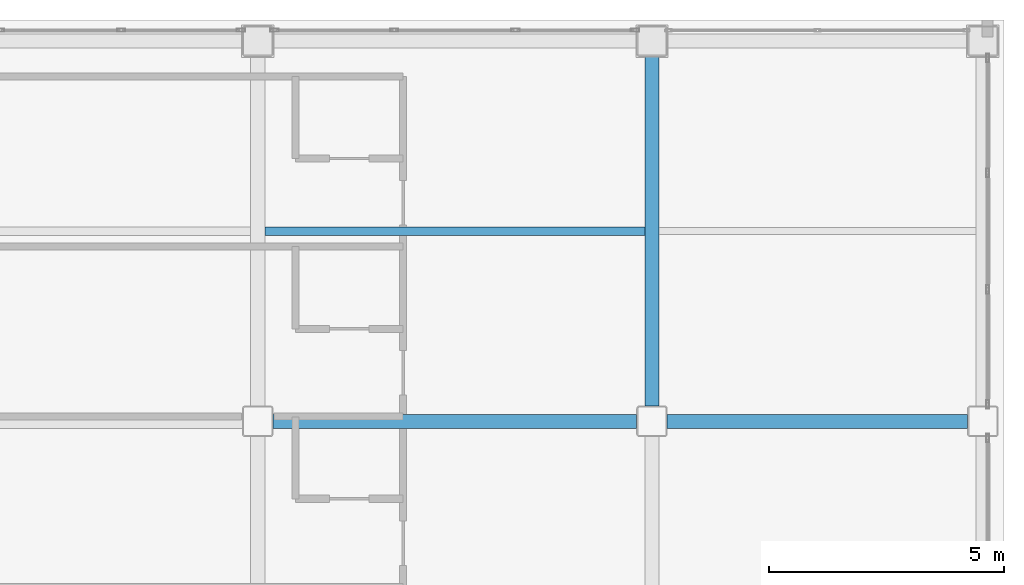
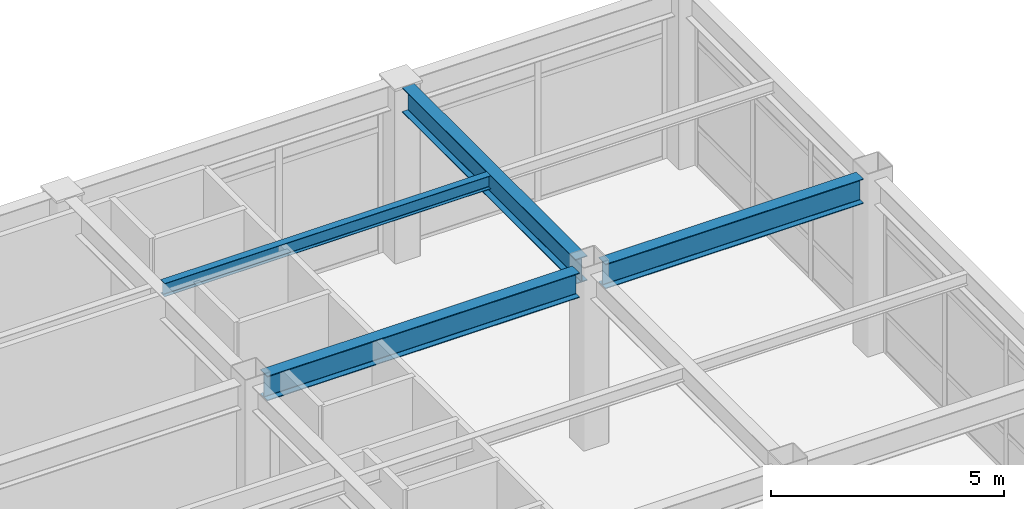
# One storey, part 40 of 61: 4 beams.
"""IFC4 building model written with IfcOpenShell, lengths in metres."""

from ifc_helpers import new_model, si_unit, direction, frame, origin, origin_2d, place, context, subcontext, project, spatial, i_section, extrude, material, material_profile, profile_set, type_object, element, save


model = new_model("IFC4")

# Units and contexts
model_context = context("Model", 3, precision=1e-05, world=origin(), true_north=direction((0.0, 1.0)))
body_context = subcontext(model_context, "Body", "Model", "MODEL_VIEW")
ifc_project = project(units=[si_unit("LENGTHUNIT", "METRE"), si_unit("AREAUNIT", "SQUARE_METRE"), si_unit("VOLUMEUNIT", "CUBIC_METRE"), si_unit("PLANEANGLEUNIT", "RADIAN"), si_unit("MASSUNIT", "GRAM", prefix="KILO")], contexts=[model_context])

# Site, building, storey
site_placement = place(None, origin())
site = spatial("IfcSite", under=ifc_project, at=site_placement, CompositionType="ELEMENT")
building_placement = place(site_placement, origin())
building = spatial("IfcBuilding", under=site, at=building_placement, Name="Kazehara Bluff Congress Hotel", CompositionType="ELEMENT")
storey_placement = place(building_placement, frame((0.0, 0.0, 19.800048828125)))
storey = spatial("IfcBuildingStorey", under=building, at=storey_placement, Name="L04", CompositionType="ELEMENT", Elevation=19.800048828125)

# Beams
ifc_material_1 = material(Name="Steel SN490B", Category="steel")
ifc_material_profile_1 = material_profile(ifc_material_1, i_section(OverallWidth=0.300048828125, OverallDepth=0.64990234375, WebThickness=0.011962890625, FlangeThickness=0.02001953125, FilletRadius=0.012939453125, at=origin_2d()))
ifc_profile_set_1 = profile_set([ifc_material_profile_1], Name="Steel SN490B")
beam_type_1 = type_object("IfcBeamType", Name="TP-G-03", PredefinedType="BEAM", material=ifc_profile_set_1)
beam_1_placement = place(storey_placement, frame((160.5, 105.77490234375, 4.2548828125), z_axis=(0.0, 1.0, 0.0), x_axis=(-1.0, 0.0, 0.0)))
element("IfcBeam", 1, at=beam_1_placement, inside=storey, type_object=beam_type_1, Name="L04 girder G-03 66", PredefinedType="BEAM", context=body_context, shape_type="SweptSolid", body=[
    extrude(i_section(OverallWidth=0.300048828125, OverallDepth=0.64990234375, WebThickness=0.011962890625, FlangeThickness=0.02001953125, FilletRadius=0.012939453125, at=origin_2d()), origin(), (0.0, 0.0, 1.0), 7.4501953125),
])
beam_2_placement = place(storey_placement, frame((152.425048828125, 105.449951171875, 4.2548828125), z_axis=(1.0, 0.0, 0.0), x_axis=(0.0, 1.0, 0.0)))
element("IfcBeam", 2, at=beam_2_placement, inside=storey, type_object=beam_type_1, Name="L04 girder G-03 114", PredefinedType="BEAM", context=body_context, shape_type="SweptSolid", body=[
    extrude(i_section(OverallWidth=0.300048828125, OverallDepth=0.64990234375, WebThickness=0.011962890625, FlangeThickness=0.02001953125, FilletRadius=0.012939453125, at=origin_2d()), origin(), (0.0, 0.0, 1.0), 7.75),
])
beam_3_placement = place(storey_placement, frame((160.824951171875, 105.449951171875, 4.2548828125), z_axis=(1.0, 0.0, 0.0), x_axis=(0.0, 1.0, 0.0)))
element("IfcBeam", 3, at=beam_3_placement, inside=storey, type_object=beam_type_1, Name="L04 girder G-03 115", PredefinedType="BEAM", context=body_context, shape_type="SweptSolid", body=[
    extrude(i_section(OverallWidth=0.300048828125, OverallDepth=0.64990234375, WebThickness=0.011962890625, FlangeThickness=0.02001953125, FilletRadius=0.012939453125, at=origin_2d()), origin(), (0.0, 0.0, 1.0), 6.400146484375),
])
ifc_material_2 = material(Name="Steel SN400B", Category="steel")
ifc_material_profile_2 = material_profile(ifc_material_2, i_section(OverallWidth=0.175048828125, OverallDepth=0.35009765625, WebThickness=0.007080078125, FlangeThickness=0.010986328125, FilletRadius=0.012939453125, at=origin_2d()))
ifc_profile_set_2 = profile_set([ifc_material_profile_2], Name="Steel SN400B")
beam_type_2 = type_object("IfcBeamType", Name="TP-J-02", PredefinedType="JOIST", material=ifc_profile_set_2)
beam_4_placement = place(storey_placement, frame((152.25, 109.5, 4.405029296875), z_axis=(1.0, 0.0, 0.0), x_axis=(0.0, 1.0, 0.0)))
element("IfcBeam", 4, at=beam_4_placement, inside=storey, type_object=beam_type_2, Name="L04 secondary joist J-02 28", PredefinedType="JOIST", context=body_context, shape_type="SweptSolid", body=[
    extrude(i_section(OverallWidth=0.175048828125, OverallDepth=0.35009765625, WebThickness=0.007080078125, FlangeThickness=0.010986328125, FilletRadius=0.012939453125, at=origin_2d()), origin(), (0.0, 0.0, 1.0), 8.10009765625),
])

save(model, "model.ifc")
